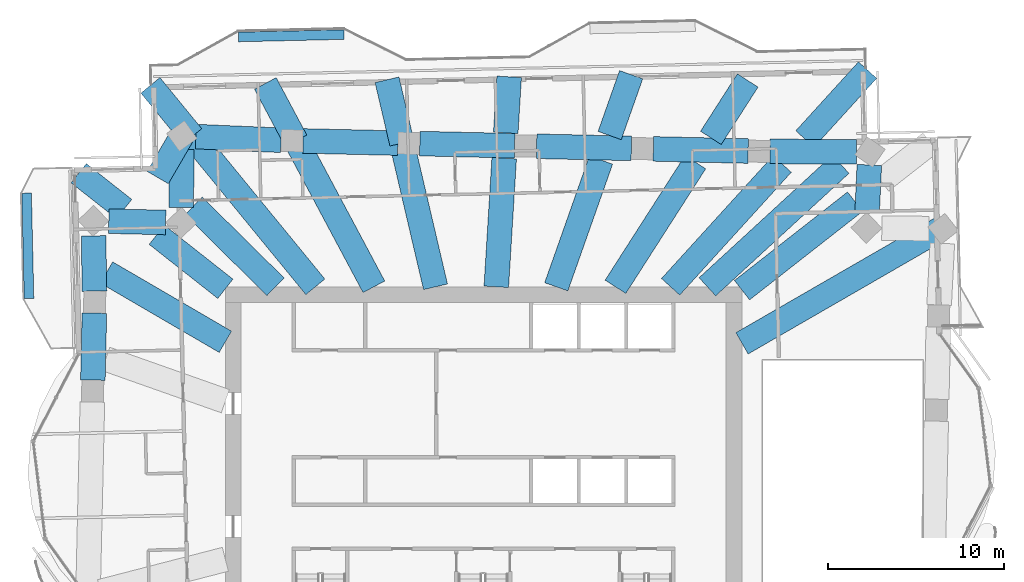
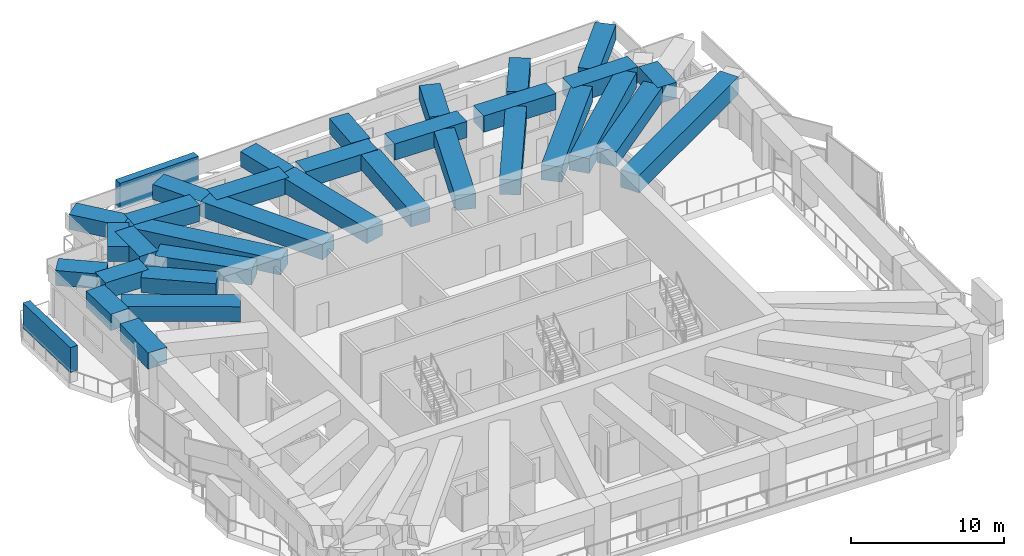
# One storey, part 5 of 17: 33 beams, 2 members.
"""IFC4 building model written with IfcOpenShell, lengths in metres."""

from ifc_helpers import new_model, si_unit, direction, frame, origin, origin_2d, place, context, subcontext, project, spatial, rectangle, extrude, material, material_profile, profile_set, type_object, element, save


model = new_model("IFC4")

# Units and contexts
model_context = context("Model", 3, precision=1e-05, world=origin(), true_north=direction((0.0, 1.0)))
body_context = subcontext(model_context, "Body", "Model", "MODEL_VIEW")
ifc_project = project(units=[si_unit("LENGTHUNIT", "METRE"), si_unit("AREAUNIT", "SQUARE_METRE"), si_unit("VOLUMEUNIT", "CUBIC_METRE"), si_unit("PLANEANGLEUNIT", "RADIAN"), si_unit("MASSUNIT", "GRAM", prefix="KILO")], contexts=[model_context])

# Site, building, storey
site_placement = place(None, origin())
site = spatial("IfcSite", under=ifc_project, at=site_placement, CompositionType="ELEMENT")
building_placement = place(site_placement, origin())
building = spatial("IfcBuilding", under=site, at=building_placement, Name="Mangrove Gate Tower", CompositionType="ELEMENT")
storey_placement = place(building_placement, frame((0.0, 0.0, 170.699951171875)))
storey = spatial("IfcBuildingStorey", under=building, at=storey_placement, Name="L43", CompositionType="ELEMENT", Elevation=170.699951171875)

# Members
ifc_material_1 = material(Name="Planting on aluminium trellis", Category="aluminium")
ifc_material_profile_1 = material_profile(ifc_material_1, rectangle(XDim=0.550048828125, YDim=2.0, at=origin_2d()))
ifc_profile_set_1 = profile_set([ifc_material_profile_1], Name="Planting on aluminium trellis")
member_type = type_object("IfcMemberType", Name="Balcony greenery screen 550x2000", PredefinedType="USERDEFINED", material=ifc_profile_set_1)
member_1_placement = place(storey_placement, frame((-13.955078125, 25.91796875, 1.800048828125), z_axis=(0.999743178102, 0.022662255828, 0.0), x_axis=(-0.022662255828, 0.999743178102, 0.0)))
element("IfcMember", 1, at=member_1_placement, inside=storey, type_object=member_type, Name="GREEN SCREEN L43 N1.1", ObjectType="PLANTING", PredefinedType="USERDEFINED", context=body_context, shape_type="SweptSolid", body=[
    extrude(rectangle(XDim=0.550048828125, YDim=2.0, at=origin_2d()), origin(), (0.0, 0.0, 1.0), 6.00048828125),
])
member_2_placement = place(storey_placement, frame((-25.875, 11.029052734375, 1.800048828125), z_axis=(-0.022665943652, 0.999743094499, 0.0), x_axis=(-0.999743094499, -0.022665943652, 0.0)))
element("IfcMember", 2, at=member_2_placement, inside=storey, type_object=member_type, Name="GREEN SCREEN L43 W0.1", ObjectType="PLANTING", PredefinedType="USERDEFINED", context=body_context, shape_type="SweptSolid", body=[
    extrude(rectangle(XDim=0.550048828125, YDim=2.0, at=origin_2d()), origin(), (0.0, 0.0, 1.0), 5.99951171875),
])

# Beams
ifc_material_2 = material(Name="Concrete C60/75", Category="concrete")
ifc_material_profile_2 = material_profile(ifc_material_2, rectangle(XDim=1.39990234375, YDim=1.199951171875, at=origin_2d()))
ifc_profile_set_2 = profile_set([ifc_material_profile_2], Name="Concrete C60/75")
beam_type_1 = type_object("IfcBeamType", Name="Transfer girder RC 1400x1200 C60/75", PredefinedType="BEAM", material=ifc_profile_set_2)
beam_1_placement = place(storey_placement, frame((14.699951171875, 11.50830078125, 3.449951171875), z_axis=(0.787397201552, 0.616445980593, 0.0), x_axis=(-0.616445980593, 0.787397201552, 0.0)))
element("IfcBeam", 3, at=beam_1_placement, inside=storey, type_object=beam_type_1, Name="Transfer girder L43 17", PredefinedType="BEAM", context=body_context, shape_type="SweptSolid", body=[
    extrude(rectangle(XDim=1.39990234375, YDim=1.199951171875, at=origin_2d()), origin(), (0.0, 0.0, 1.0), 8.173095703125),
])
beam_2_placement = place(storey_placement, frame((12.729248046875, 11.699951171875, 3.449951171875), z_axis=(0.736236914123, 0.676723877429, 0.0), x_axis=(-0.676723877429, 0.736236914123, 0.0)))
element("IfcBeam", 4, at=beam_2_placement, inside=storey, type_object=beam_type_1, Name="Transfer girder L43 18", PredefinedType="BEAM", context=body_context, shape_type="SweptSolid", body=[
    extrude(rectangle(XDim=1.39990234375, YDim=1.199951171875, at=origin_2d()), origin(), (0.0, 0.0, 1.0), 10.304931640625),
])
beam_3_placement = place(storey_placement, frame((10.63525390625, 11.699951171875, 3.449951171875), z_axis=(0.672648347049, 0.739962297156, 0.0), x_axis=(-0.739962297156, 0.672648347049, 0.0)))
element("IfcBeam", 5, at=beam_3_placement, inside=storey, type_object=beam_type_1, Name="Transfer girder L43 19", PredefinedType="BEAM", context=body_context, shape_type="SweptSolid", body=[
    extrude(rectangle(XDim=1.39990234375, YDim=1.199951171875, at=origin_2d()), origin(), (0.0, 0.0, 1.0), 9.4443359375),
])
beam_4_placement = place(storey_placement, frame((18.279541015625, 20.109375, 3.449951171875), z_axis=(0.67262696222, 0.739981736055, 0.0), x_axis=(-0.739981736055, 0.67262696222, 0.0)))
element("IfcBeam", 6, at=beam_4_placement, inside=storey, type_object=beam_type_1, Name="Transfer cantilever girder L43 19", PredefinedType="BEAM", context=body_context, shape_type="SweptSolid", body=[
    extrude(rectangle(XDim=1.39990234375, YDim=1.199951171875, at=origin_2d()), origin(), (0.0, 0.0, 1.0), 5.302978515625),
])
beam_5_placement = place(storey_placement, frame((7.498291015625, 11.699951171875, 3.449951171875), z_axis=(0.539597125026, 0.841923359139, 0.0), x_axis=(-0.841923359139, 0.539597125026, 0.0)))
element("IfcBeam", 7, at=beam_5_placement, inside=storey, type_object=beam_type_1, Name="Transfer girder L43 20", PredefinedType="BEAM", context=body_context, shape_type="SweptSolid", body=[
    extrude(rectangle(XDim=1.39990234375, YDim=1.199951171875, at=origin_2d()), origin(), (0.0, 0.0, 1.0), 8.425048828125),
])
beam_6_placement = place(storey_placement, frame((12.92919921875, 20.174072265625, 3.449951171875), z_axis=(0.539622696026, 0.841906969881, 0.0), x_axis=(-0.841906969881, 0.539622696026, 0.0)))
element("IfcBeam", 8, at=beam_6_placement, inside=storey, type_object=beam_type_1, Name="Transfer cantilever girder L43 20", PredefinedType="BEAM", context=body_context, shape_type="SweptSolid", body=[
    extrude(rectangle(XDim=1.39990234375, YDim=1.199951171875, at=origin_2d()), origin(), (0.0, 0.0, 1.0), 3.88330078125),
])
beam_7_placement = place(storey_placement, frame((4.130615234375, 11.699951171875, 3.449951171875), z_axis=(0.332916953834, 0.942956150544, 0.0), x_axis=(-0.942956150544, 0.332916953834, 0.0)))
element("IfcBeam", 9, at=beam_7_placement, inside=storey, type_object=beam_type_1, Name="Transfer girder L43 21", PredefinedType="BEAM", context=body_context, shape_type="SweptSolid", body=[
    extrude(rectangle(XDim=1.39990234375, YDim=1.199951171875, at=origin_2d()), origin(), (0.0, 0.0, 1.0), 7.648681640625),
])
beam_8_placement = place(storey_placement, frame((7.169677734375, 20.307861328125, 3.449951171875), z_axis=(0.332910523217, 0.942958420892, 0.0), x_axis=(-0.942958420892, 0.332910523217, 0.0)))
element("IfcBeam", 10, at=beam_8_placement, inside=storey, type_object=beam_type_1, Name="Transfer cantilever girder L43 21", PredefinedType="BEAM", context=body_context, shape_type="SweptSolid", body=[
    extrude(rectangle(XDim=1.39990234375, YDim=1.199951171875, at=origin_2d()), origin(), (0.0, 0.0, 1.0), 3.672607421875),
])
beam_9_placement = place(storey_placement, frame((0.718017578125, 11.699951171875, 3.449951171875), z_axis=(0.061244736507, 0.998122779146, 0.0), x_axis=(-0.998122779146, 0.061244736507, 0.0)))
element("IfcBeam", 11, at=beam_9_placement, inside=storey, type_object=beam_type_1, Name="Transfer girder L43 22", PredefinedType="BEAM", context=body_context, shape_type="SweptSolid", body=[
    extrude(rectangle(XDim=1.39990234375, YDim=1.199951171875, at=origin_2d()), origin(), (0.0, 0.0, 1.0), 7.334716796875),
])
beam_10_placement = place(storey_placement, frame((1.255615234375, 20.458251953125, 3.449951171875), z_axis=(0.061228032033, 0.998123803991, 0.0), x_axis=(-0.998123803991, 0.061228032033, 0.0)))
element("IfcBeam", 12, at=beam_10_placement, inside=storey, type_object=beam_type_1, Name="Transfer cantilever girder L43 22", PredefinedType="BEAM", context=body_context, shape_type="SweptSolid", body=[
    extrude(rectangle(XDim=1.39990234375, YDim=1.199951171875, at=origin_2d()), origin(), (0.0, 0.0, 1.0), 3.197998046875),
])
beam_11_placement = place(storey_placement, frame((-2.74072265625, 11.699951171875, 3.449951171875), z_axis=(-0.228046992878, 0.973650126606, 0.0), x_axis=(-0.973650126606, -0.228046992878, 0.0)))
element("IfcBeam", 13, at=beam_11_placement, inside=storey, type_object=beam_type_1, Name="Transfer girder L43 23", PredefinedType="BEAM", context=body_context, shape_type="SweptSolid", body=[
    extrude(rectangle(XDim=1.39990234375, YDim=1.199951171875, at=origin_2d()), origin(), (0.0, 0.0, 1.0), 8.393310546875),
])
beam_12_placement = place(storey_placement, frame((-4.65478515625, 19.8720703125, 3.449951171875), z_axis=(-0.228066463419, 0.973645566037, 0.0), x_axis=(-0.973645566037, -0.228066463419, 0.0)))
element("IfcBeam", 14, at=beam_12_placement, inside=storey, type_object=beam_type_1, Name="Transfer cantilever girder L43 23", PredefinedType="BEAM", context=body_context, shape_type="SweptSolid", body=[
    extrude(rectangle(XDim=1.39990234375, YDim=1.199951171875, at=origin_2d()), origin(), (0.0, 0.0, 1.0), 3.70703125),
])
beam_13_placement = place(storey_placement, frame((-6.246337890625, 11.699951171875, 3.449951171875), z_axis=(-0.470962191063, 0.882153396292, 0.0), x_axis=(-0.882153396292, -0.470962191063, 0.0)))
element("IfcBeam", 15, at=beam_13_placement, inside=storey, type_object=beam_type_1, Name="Transfer girder L43 24", PredefinedType="BEAM", context=body_context, shape_type="SweptSolid", body=[
    extrude(rectangle(XDim=1.39990234375, YDim=1.199951171875, at=origin_2d()), origin(), (0.0, 0.0, 1.0), 9.419189453125),
])
beam_14_placement = place(storey_placement, frame((-10.682373046875, 20.009033203125, 3.449951171875), z_axis=(-0.470937483719, 0.882166586552, 0.0), x_axis=(-0.882166586552, -0.470937483719, 0.0)))
element("IfcBeam", 16, at=beam_14_placement, inside=storey, type_object=beam_type_1, Name="Transfer cantilever girder L43 24", PredefinedType="BEAM", context=body_context, shape_type="SweptSolid", body=[
    extrude(rectangle(XDim=1.39990234375, YDim=1.199951171875, at=origin_2d()), origin(), (0.0, 0.0, 1.0), 3.700439453125),
])
beam_15_placement = place(storey_placement, frame((-9.5791015625, 11.699951171875, 3.449951171875), z_axis=(-0.633472182606, 0.773765464378, 0.0), x_axis=(-0.773765464378, -0.633472182606, 0.0)))
element("IfcBeam", 17, at=beam_15_placement, inside=storey, type_object=beam_type_1, Name="Transfer girder L43 25", PredefinedType="BEAM", context=body_context, shape_type="SweptSolid", body=[
    extrude(rectangle(XDim=1.39990234375, YDim=1.199951171875, at=origin_2d()), origin(), (0.0, 0.0, 1.0), 11.05908203125),
])
beam_16_placement = place(storey_placement, frame((-16.584716796875, 20.257080078125, 3.449951171875), z_axis=(-0.633510085656, 0.773734432071, 0.0), x_axis=(-0.773734432071, -0.633510085656, 0.0)))
element("IfcBeam", 18, at=beam_16_placement, inside=storey, type_object=beam_type_1, Name="Transfer cantilever girder L43 25", PredefinedType="BEAM", context=body_context, shape_type="SweptSolid", body=[
    extrude(rectangle(XDim=1.39990234375, YDim=1.199951171875, at=origin_2d()), origin(), (0.0, 0.0, 1.0), 3.759033203125),
])
beam_17_placement = place(storey_placement, frame((-11.841552734375, 11.699951171875, 3.449951171875), z_axis=(-0.711339505186, 0.702848567162, 0.0), x_axis=(-0.702848567162, -0.711339505186, 0.0)))
element("IfcBeam", 19, at=beam_17_placement, inside=storey, type_object=beam_type_1, Name="Transfer girder L43 26", PredefinedType="BEAM", context=body_context, shape_type="SweptSolid", body=[
    extrude(rectangle(XDim=1.39990234375, YDim=1.199951171875, at=origin_2d()), origin(), (0.0, 0.0, 1.0), 6.5556640625),
])
beam_18_placement = place(storey_placement, frame((-14.699951171875, 11.586181640625, 3.449951171875), z_axis=(-0.785386734226, 0.619005393919, 0.0), x_axis=(-0.619005393919, -0.785386734226, 0.0)))
element("IfcBeam", 20, at=beam_18_placement, inside=storey, type_object=beam_type_1, Name="Transfer girder L43 27", PredefinedType="BEAM", context=body_context, shape_type="SweptSolid", body=[
    extrude(rectangle(XDim=1.39990234375, YDim=1.199951171875, at=origin_2d()), origin(), (0.0, 0.0, 1.0), 4.969970703125),
])
beam_19_placement = place(storey_placement, frame((-20.456787109375, 16.12353515625, 3.449951171875), z_axis=(-0.785364019039, 0.619034213593, 0.0), x_axis=(-0.619034213593, -0.785364019039, 0.0)))
element("IfcBeam", 21, at=beam_19_placement, inside=storey, type_object=beam_type_1, Name="Transfer cantilever girder L43 27", PredefinedType="BEAM", context=body_context, shape_type="SweptSolid", body=[
    extrude(rectangle(XDim=1.39990234375, YDim=1.199951171875, at=origin_2d()), origin(), (0.0, 0.0, 1.0), 3.296630859375),
])
beam_20_placement = place(storey_placement, frame((-14.699951171875, 8.570068359375, 3.449951171875), z_axis=(-0.863890843119, 0.503679075578, 0.0), x_axis=(-0.503679075578, -0.863890843119, 0.0)))
element("IfcBeam", 22, at=beam_20_placement, inside=storey, type_object=beam_type_1, Name="Transfer girder L43 28", PredefinedType="BEAM", context=body_context, shape_type="SweptSolid", body=[
    extrude(rectangle(XDim=1.39990234375, YDim=1.199951171875, at=origin_2d()), origin(), (0.0, 0.0, 1.0), 7.82958984375),
])
beam_21_placement = place(storey_placement, frame((-17.171630859375, 20.2822265625, 3.449951171875), z_axis=(-0.502755387274, -0.864428724978, 0.0), x_axis=(0.864428724978, -0.502755387274, 0.0)))
element("IfcBeam", 23, at=beam_21_placement, inside=storey, type_object=beam_type_1, Name="Transfer edge girder L43 26", PredefinedType="BEAM", context=body_context, shape_type="SweptSolid", body=[
    extrude(rectangle(XDim=1.39990234375, YDim=1.199951171875, at=origin_2d()), origin(), (0.0, 0.0, 1.0), 2.73583984375),
])
ifc_material_3 = material(Name="Concrete C60/75", Category="concrete")
ifc_material_profile_3 = material_profile(ifc_material_3, rectangle(XDim=1.39990234375, YDim=1.300048828125, at=origin_2d()))
ifc_profile_set_3 = profile_set([ifc_material_profile_3], Name="Concrete C60/75")
beam_type_2 = type_object("IfcBeamType", Name="Transfer girder RC 1400x1300 C60/75", PredefinedType="BEAM", material=ifc_profile_set_3)
beam_22_placement = place(storey_placement, frame((21.821044921875, 15.91796875, 3.400146484375), z_axis=(0.04517139191, 0.998979251713, 0.0), x_axis=(-0.998979251713, 0.04517139191, 0.0)))
element("IfcBeam", 24, at=beam_22_placement, inside=storey, type_object=beam_type_2, Name="Transfer ring girder L43 18", PredefinedType="BEAM", context=body_context, shape_type="SweptSolid", body=[
    extrude(rectangle(XDim=1.39990234375, YDim=1.300048828125, at=origin_2d()), origin(), (0.0, 0.0, 1.0), 2.718505859375),
])
beam_23_placement = place(storey_placement, frame((21.21923828125, 19.37646484375, 3.400146484375), z_axis=(-0.999980449933, 0.006252979488, 0.0), x_axis=(-0.006252979488, -0.999980449933, 0.0)))
element("IfcBeam", 25, at=beam_23_placement, inside=storey, type_object=beam_type_2, Name="Transfer ring girder L43 19", PredefinedType="BEAM", context=body_context, shape_type="SweptSolid", body=[
    extrude(rectangle(XDim=1.39990234375, YDim=1.300048828125, at=origin_2d()), origin(), (0.0, 0.0, 1.0), 4.91943359375),
])
beam_24_placement = place(storey_placement, frame((15.050048828125, 19.42529296875, 3.400146484375), z_axis=(-0.99974211572, 0.022709074303, 0.0), x_axis=(-0.022709074303, -0.99974211572, 0.0)))
element("IfcBeam", 26, at=beam_24_placement, inside=storey, type_object=beam_type_2, Name="Transfer ring girder L43 20", PredefinedType="BEAM", context=body_context, shape_type="SweptSolid", body=[
    extrude(rectangle(XDim=1.39990234375, YDim=1.300048828125, at=origin_2d()), origin(), (0.0, 0.0, 1.0), 5.39697265625),
])
for number, where, z_axis, x_axis, name in (
    (27, (8.405029296875, 19.576416015625, 3.400146484375), (-0.99974209239, 0.022710101379, 0.0), (-0.022710101379, -0.99974209239, 0.0), "Transfer ring girder L43 21"),
    (28, (1.760009765625, 19.727294921875, 3.400146484375), (-0.999745164565, 0.022574453012, 0.0), (-0.022574453012, -0.999745164565, 0.0), "Transfer ring girder L43 22"),
    (29, (-4.885009765625, 19.87744140625, 3.400146484375), (-0.99974209239, 0.022710101379, 0.0), (-0.022710101379, -0.99974209239, 0.0), "Transfer ring girder L43 23"),
):
    element("IfcBeam", number, at=place(storey_placement, frame(where, z_axis=z_axis, x_axis=x_axis)), inside=storey, type_object=beam_type_2, Name=name, PredefinedType="BEAM", context=body_context, shape_type="SweptSolid", body=[
        extrude(rectangle(XDim=1.39990234375, YDim=1.300048828125, at=origin_2d()), origin(), (0.0, 0.0, 1.0), 5.396728515625),
    ])
beam_25_placement = place(storey_placement, frame((-11.52978515625, 20.040771484375, 3.400146484375), z_axis=(-0.99908526165, 0.04276259995, 0.0), x_axis=(-0.04276259995, -0.99908526165, 0.0)))
element("IfcBeam", 30, at=beam_25_placement, inside=storey, type_object=beam_type_2, Name="Transfer ring girder L43 24", PredefinedType="BEAM", context=body_context, shape_type="SweptSolid", body=[
    extrude(rectangle(XDim=1.39990234375, YDim=1.300048828125, at=origin_2d()), origin(), (0.0, 0.0, 1.0), 4.852783203125),
])
beam_26_placement = place(storey_placement, frame((-17.1787109375, 19.5078125, 3.400146484375), z_axis=(-0.009256805477, -0.999957154858, 0.0), x_axis=(0.999957154858, -0.009256805477, 0.0)))
element("IfcBeam", 31, at=beam_26_placement, inside=storey, type_object=beam_type_2, Name="Transfer ring girder L43 25", PredefinedType="BEAM", context=body_context, shape_type="SweptSolid", body=[
    extrude(rectangle(XDim=1.39990234375, YDim=1.300048828125, at=origin_2d()), origin(), (0.0, 0.0, 1.0), 3.296875),
])
beam_27_placement = place(storey_placement, frame((-18.100341796875, 15.35986328125, 3.400146484375), z_axis=(-0.999728264074, 0.023310899004, 0.0), x_axis=(-0.023310899004, -0.999728264074, 0.0)))
element("IfcBeam", 32, at=beam_27_placement, inside=storey, type_object=beam_type_2, Name="Transfer ring girder L43 26", PredefinedType="BEAM", context=body_context, shape_type="SweptSolid", body=[
    extrude(rectangle(XDim=1.39990234375, YDim=1.300048828125, at=origin_2d()), origin(), (0.0, 0.0, 1.0), 3.236328125),
])
beam_28_placement = place(storey_placement, frame((-22.199462890625, 14.599609375, 3.400146484375), z_axis=(0.016224572201, -0.999868372966, 0.0), x_axis=(0.999868372966, 0.016224572201, 0.0)))
element("IfcBeam", 33, at=beam_28_placement, inside=storey, type_object=beam_type_2, Name="Transfer ring girder L43 27", PredefinedType="BEAM", context=body_context, shape_type="SweptSolid", body=[
    extrude(rectangle(XDim=1.39990234375, YDim=1.300048828125, at=origin_2d()), origin(), (0.0, 0.0, 1.0), 3.14501953125),
])
beam_29_placement = place(storey_placement, frame((-22.15234375, 10.205078125, 3.400146484375), z_axis=(-0.022733042384, -0.999741570999, 0.0), x_axis=(0.999741570999, -0.022733042384, 0.0)))
element("IfcBeam", 34, at=beam_29_placement, inside=storey, type_object=beam_type_2, Name="Transfer ring girder L43 28", PredefinedType="BEAM", context=body_context, shape_type="SweptSolid", body=[
    extrude(rectangle(XDim=1.39990234375, YDim=1.300048828125, at=origin_2d()), origin(), (0.0, 0.0, 1.0), 3.8125),
])
ifc_material_4 = material(Name="Concrete C60/75", Category="concrete")
ifc_material_profile_4 = material_profile(ifc_material_4, rectangle(XDim=1.39990234375, YDim=1.39990234375, at=origin_2d()))
ifc_profile_set_4 = profile_set([ifc_material_profile_4], Name="Concrete C60/75")
beam_type_3 = type_object("IfcBeamType", Name="Transfer girder RC 1400x1400 C60/75", PredefinedType="BEAM", material=ifc_profile_set_4)
beam_30_placement = place(storey_placement, frame((14.699951171875, 8.48291015625, 3.35009765625), z_axis=(0.866129803537, 0.499819130711, 0.0), x_axis=(-0.499819130711, 0.866129803537, 0.0)))
element("IfcBeam", 35, at=beam_30_placement, inside=storey, type_object=beam_type_3, Name="Transfer girder L43 16", PredefinedType="BEAM", context=body_context, shape_type="SweptSolid", body=[
    extrude(rectangle(XDim=1.39990234375, YDim=1.39990234375, at=origin_2d()), origin(), (0.0, 0.0, 1.0), 13.043701171875),
])

save(model, "model.ifc")
